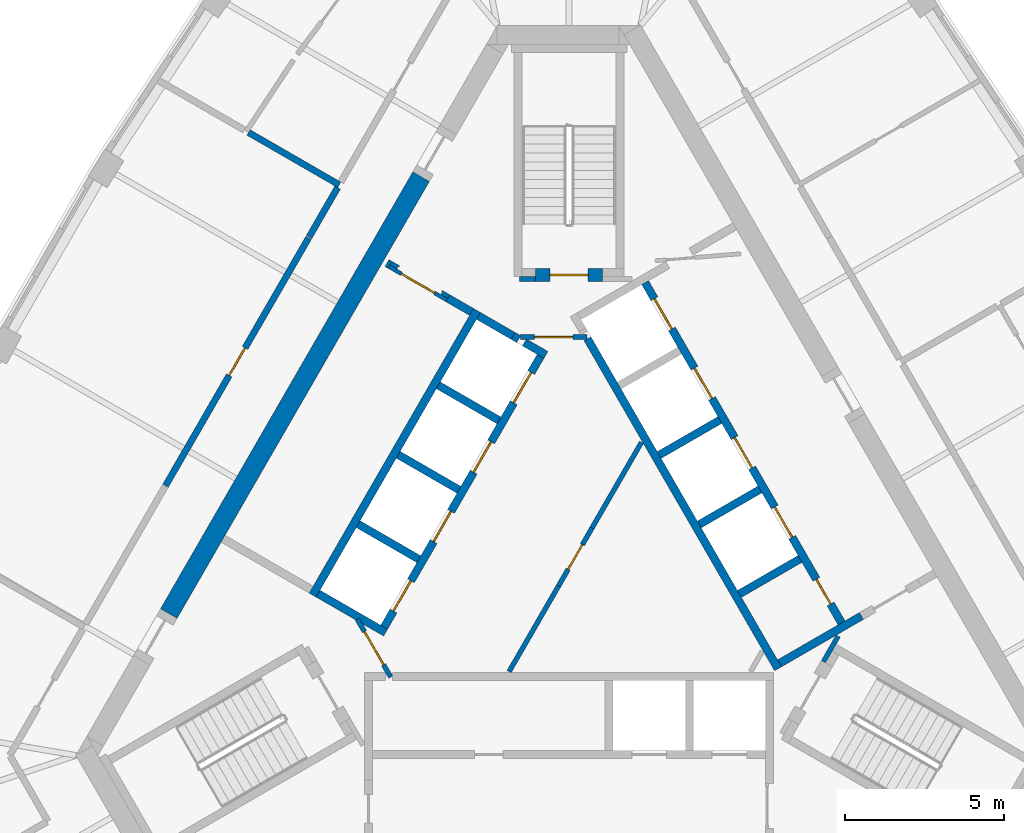
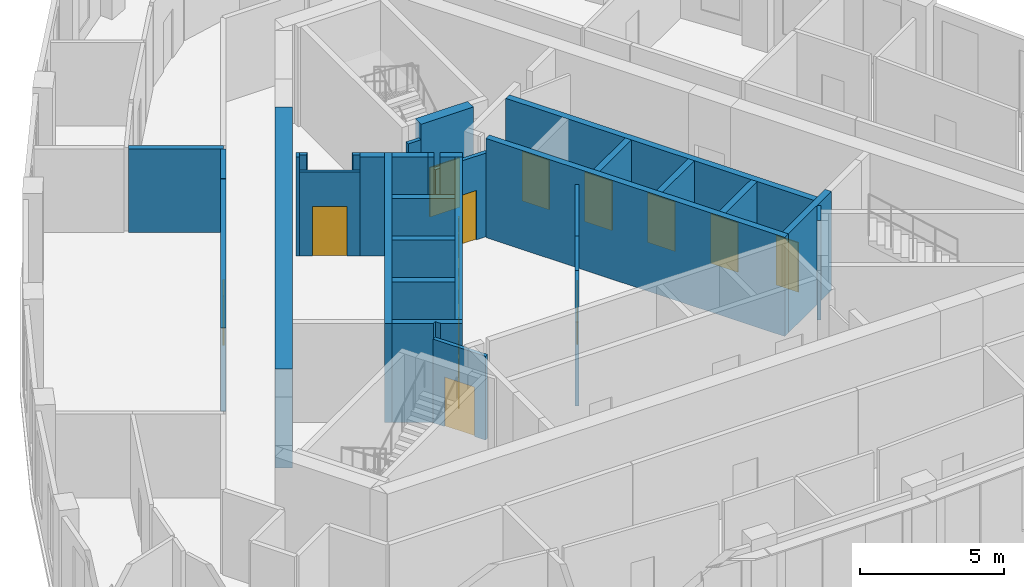
# One storey, part 5 of 10: 32 walls, 15 doors, 15 openings.
"""IFC4 building model written with IfcOpenShell, lengths in metres."""

from ifc_helpers import new_model, si_unit, direction, frame, frame_2d, origin, place, context, subcontext, project, spatial, polyline, rectangle, outline, extrude, material, layer, layer_set, type_object, element, fill, save


model = new_model("IFC4")

# Units and contexts
model_context = context("Model", 3, precision=1e-05, world=origin(), true_north=direction((0.0, 1.0)))
body_context = subcontext(model_context, "Body", "Model", "MODEL_VIEW")
ifc_project = project(units=[si_unit("LENGTHUNIT", "METRE"), si_unit("AREAUNIT", "SQUARE_METRE"), si_unit("VOLUMEUNIT", "CUBIC_METRE"), si_unit("PLANEANGLEUNIT", "RADIAN"), si_unit("MASSUNIT", "GRAM", prefix="KILO")], contexts=[model_context])

# Site, building, storey
site_placement = place(None, origin())
site = spatial("IfcSite", under=ifc_project, at=site_placement, CompositionType="ELEMENT")
building_placement = place(site_placement, origin())
building = spatial("IfcBuilding", under=site, at=building_placement, Name="Mestral Congress Tower", CompositionType="ELEMENT")
storey_placement = place(building_placement, frame((0.0, 0.0, 313.199951171875)))
storey = spatial("IfcBuildingStorey", under=building, at=storey_placement, Name="L73", CompositionType="ELEMENT", Elevation=313.199951171875)

# Walls
ifc_material_1 = material(Name="Fire-rated board partition")
ifc_layer_1 = layer(ifc_material_1, 0.14990234375)
ifc_layer_set_1 = layer_set([ifc_layer_1], Name="Fire-rated board partition")
wall_type_1 = type_object("IfcWallType", Name="Core partition 150", PredefinedType="PARTITIONING", material=ifc_layer_set_1)
wall_1_placement = place(storey_placement, frame((-1.56396484375, 8.62548828125, 0.0), z_axis=(0.0, 0.0, 1.0), x_axis=(1.0, 0.0, 0.0)))
element("IfcWall", 1, at=wall_1_placement, inside=storey, type_object=wall_type_1, Name="L73 core wall", PredefinedType="PARTITIONING", context=body_context, shape_type="SweptSolid", body=[
    extrude(rectangle(XDim=0.513916015625, YDim=0.14990234375, at=frame_2d((0.2568359375, 0.0))), origin(), (0.0, 0.0, 1.0), 3.550048828125),
])
wall_2_placement = place(storey_placement, frame((-1.886962890625, -3.71826171875, 0.0), z_axis=(0.0, 0.0, 1.0), x_axis=(0.500043732237, 0.866000153493, 0.0)))
element("IfcWall", 2, at=wall_2_placement, inside=storey, type_object=wall_type_1, Name="L73 core wall", PredefinedType="PARTITIONING", context=body_context, shape_type="SweptSolid", body=[
    extrude(rectangle(XDim=3.113525390625, YDim=0.14990234375, at=frame_2d((1.556640625, 0.0))), origin(), (0.0, 0.0, 1.0), 3.550048828125),
])
wall_3_placement = place(storey_placement, frame((0.719970703125, 0.796875, 0.0), z_axis=(0.0, 0.0, 1.0), x_axis=(0.499984921984, 0.866034108906, 0.0)))
element("IfcWall", 3, at=wall_3_placement, inside=storey, type_object=wall_type_1, Name="L73 core wall", PredefinedType="PARTITIONING", context=body_context, shape_type="SweptSolid", body=[
    extrude(rectangle(XDim=3.11328125, YDim=0.14990234375, at=frame_2d((1.556640625, 0.0))), origin(), (0.0, 0.0, 1.0), 3.550048828125),
])

# Wall, opening, door
wall_4_placement = place(storey_placement, frame((-0.330078125, -1.021728515625, 0.0), z_axis=(0.0, 0.0, 1.0), x_axis=(0.500027713859, 0.866009402589, 0.0)))
wall_4 = element("IfcWall", 4, at=wall_4_placement, inside=storey, type_object=wall_type_1, Name="L73 door wall", PredefinedType="PARTITIONING", context=body_context, shape_type="SweptSolid", body=[
    extrude(rectangle(XDim=2.10009765625, YDim=0.14990234375, at=frame_2d((1.050048828125, 0.0))), origin(), (0.0, 0.0, 1.0), 3.550048828125),
])
opening_1_placement = place(wall_4_placement, frame((0.60009765625, 0.0, 0.0)))
opening_1 = element("IfcOpeningElement", 5, at=opening_1_placement, cuts=wall_4, Name="Opening CD1-HUB0", PredefinedType="OPENING", context=body_context, shape_type="SweptSolid", body=[
    extrude(rectangle(XDim=0.89990234375, YDim=2.10009765625, at=frame_2d((0.449951171875, 1.050048828125))), frame((0.0, 0.0849609375, 0.0), z_axis=(0.0, -1.0, 0.0), x_axis=(1.0, 0.0, 0.0)), (0.0, 0.0, 1.0), 0.169921875),
])
ifc_material_2 = material(Name="Fire-rated steel door set", Category="steel")
door_type_1 = type_object("IfcDoorType", Name="Core door CD 900x2100", OperationType="SINGLE_SWING_LEFT", PredefinedType="DOOR", material=ifc_material_2)
door_1_placement = place(opening_1_placement, origin())
door_1 = element("IfcDoor", 6, at=door_1_placement, inside=storey, type_object=door_type_1, Name="Door CD1-HUB0", OperationType="SINGLE_SWING_LEFT", OverallHeight=2.10009765625, OverallWidth=0.89990234375, PredefinedType="DOOR", context=body_context, shape_type="SweptSolid", body=[
    extrude(rectangle(XDim=0.89990234375, YDim=2.10009765625, at=frame_2d((0.449951171875, 1.050048828125))), frame((0.0, 0.02490234375, 0.0), z_axis=(0.0, -1.0, 0.0), x_axis=(1.0, 0.0, 0.0)), (0.0, 0.0, 1.0), 0.050048828125),
])
fill(opening_1, door_1)

wall_5_placement = place(storey_placement, frame((-1.534423828125, 6.800048828125, 0.0), z_axis=(0.0, 0.0, 1.0), x_axis=(1.0, 0.0, 0.0)))
wall_5 = element("IfcWall", 7, at=wall_5_placement, inside=storey, type_object=wall_type_1, Name="L73 door wall", PredefinedType="PARTITIONING", context=body_context, shape_type="SweptSolid", body=[
    extrude(rectangle(XDim=2.099853515625, YDim=0.14990234375, at=frame_2d((1.0498046875, 0.0))), origin(), (0.0, 0.0, 1.0), 3.550048828125),
])
opening_2_placement = place(wall_5_placement, frame((0.449951171875, 0.0, 0.0)))
opening_2 = element("IfcOpeningElement", 8, at=opening_2_placement, cuts=wall_5, Name="Opening CD2-FF", PredefinedType="OPENING", context=body_context, shape_type="SweptSolid", body=[
    extrude(rectangle(XDim=1.199951171875, YDim=2.10009765625, at=frame_2d((0.60009765625, 1.050048828125))), frame((0.0, 0.0849609375, 0.0), z_axis=(0.0, -1.0, 0.0), x_axis=(1.0, 0.0, 0.0)), (0.0, 0.0, 1.0), 0.169921875),
])
door_type_2 = type_object("IfcDoorType", Name="Core door CD 1200x2100", OperationType="SINGLE_SWING_LEFT", PredefinedType="DOOR", material=ifc_material_2)
door_2_placement = place(opening_2_placement, origin())
door_2 = element("IfcDoor", 9, at=door_2_placement, inside=storey, type_object=door_type_2, Name="Door CD2-FF", OperationType="SINGLE_SWING_LEFT", OverallHeight=2.10009765625, OverallWidth=1.199951171875, PredefinedType="DOOR", context=body_context, shape_type="SweptSolid", body=[
    extrude(rectangle(XDim=1.199951171875, YDim=2.10009765625, at=frame_2d((0.60009765625, 1.050048828125))), frame((0.0, 0.02490234375, 0.0), z_axis=(0.0, -1.0, 0.0), x_axis=(1.0, 0.0, 0.0)), (0.0, 0.0, 1.0), 0.050048828125),
])
fill(opening_2, door_2)

wall_6_placement = place(storey_placement, frame((-5.606201171875, -3.8896484375, 0.0), z_axis=(0.0, 0.0, 1.0), x_axis=(-0.500027713859, 0.866009402589, 0.0)))
wall_6 = element("IfcWall", 10, at=wall_6_placement, inside=storey, type_object=wall_type_1, Name="L73 door wall", PredefinedType="PARTITIONING", context=body_context, shape_type="SweptSolid", body=[
    extrude(rectangle(XDim=2.10009765625, YDim=0.14990234375, at=frame_2d((1.050048828125, 0.0))), origin(), (0.0, 0.0, 1.0), 3.550048828125),
])
opening_3_placement = place(wall_6_placement, frame((0.449951171875, 0.0, 0.0)))
opening_3 = element("IfcOpeningElement", 11, at=opening_3_placement, cuts=wall_6, Name="Opening CD3-FF", PredefinedType="OPENING", context=body_context, shape_type="SweptSolid", body=[
    extrude(rectangle(XDim=1.199951171875, YDim=2.10009765625, at=frame_2d((0.60009765625, 1.050048828125))), frame((0.0, 0.0849609375, 0.0), z_axis=(0.0, -1.0, 0.0), x_axis=(1.0, 0.0, 0.0)), (0.0, 0.0, 1.0), 0.169921875),
])
door_3_placement = place(opening_3_placement, origin())
door_3 = element("IfcDoor", 12, at=door_3_placement, inside=storey, type_object=door_type_2, Name="Door CD3-FF", OperationType="SINGLE_SWING_LEFT", OverallHeight=2.10009765625, OverallWidth=1.199951171875, PredefinedType="DOOR", context=body_context, shape_type="SweptSolid", body=[
    extrude(rectangle(XDim=1.199951171875, YDim=2.10009765625, at=frame_2d((0.60009765625, 1.050048828125))), frame((0.0, 0.02490234375, 0.0), z_axis=(0.0, -1.0, 0.0), x_axis=(1.0, 0.0, 0.0)), (0.0, 0.0, 1.0), 0.050048828125),
])
fill(opening_3, door_3)

ifc_layer_2 = layer(ifc_material_1, 0.1201171875)
ifc_layer_set_2 = layer_set([ifc_layer_2], Name="Fire-rated board partition")
wall_type_2 = type_object("IfcWallType", Name="Core partition 150 door-wall 120", PredefinedType="PARTITIONING", material=ifc_layer_set_2)
wall_7_placement = place(storey_placement, frame((-5.65869140625, 9.01171875, 0.0), z_axis=(0.0, 0.0, 1.0), x_axis=(0.866009402589, -0.500027713859, 0.0)))
wall_7 = element("IfcWall", 13, at=wall_7_placement, inside=storey, type_object=wall_type_2, Name="L73 door wall", PredefinedType="PARTITIONING", context=body_context, shape_type="SweptSolid", body=[
    extrude(rectangle(XDim=2.10009765625, YDim=0.1201171875, at=frame_2d((1.050048828125, 0.0))), origin(), (0.0, 0.0, 1.0), 3.550048828125),
])
opening_4_placement = place(wall_7_placement, frame((0.449951171875, 0.0, 0.0)))
opening_4 = element("IfcOpeningElement", 14, at=opening_4_placement, cuts=wall_7, Name="Opening LB2-WL2", PredefinedType="OPENING", context=body_context, shape_type="SweptSolid", body=[
    extrude(rectangle(XDim=1.199951171875, YDim=2.10009765625, at=frame_2d((0.60009765625, 1.050048828125))), frame((0.0, 0.070068359375, 0.0), z_axis=(0.0, -1.0, 0.0), x_axis=(1.0, 0.0, 0.0)), (0.0, 0.0, 1.0), 0.14013671875),
])
door_type_3 = type_object("IfcDoorType", Name="Core door LB 1200x2100", OperationType="SINGLE_SWING_LEFT", PredefinedType="DOOR", material=ifc_material_2)
door_4_placement = place(opening_4_placement, origin())
door_4 = element("IfcDoor", 15, at=door_4_placement, inside=storey, type_object=door_type_3, Name="Door LB2-WL2", OperationType="SINGLE_SWING_LEFT", OverallHeight=2.10009765625, OverallWidth=1.199951171875, PredefinedType="DOOR", context=body_context, shape_type="SweptSolid", body=[
    extrude(rectangle(XDim=1.199951171875, YDim=2.10009765625, at=frame_2d((0.60009765625, 1.050048828125))), frame((0.0, 0.02490234375, 0.0), z_axis=(0.0, -1.0, 0.0), x_axis=(1.0, 0.0, 0.0)), (0.0, 0.0, 1.0), 0.050048828125),
])
fill(opening_4, door_4)

# Walls
ifc_material_3 = material(Name="Concrete C60/75", Category="concrete")
ifc_layer_3 = layer(ifc_material_3, 0.60009765625)
ifc_layer_set_3 = layer_set([ifc_layer_3], Name="Concrete C60/75")
wall_type_3 = type_object("IfcWallType", Name="Core wall RC 600", PredefinedType="SOLIDWALL", material=ifc_layer_set_3)
wall_8_placement = place(storey_placement, frame((-12.58154296875, -1.891845703125, 0.0), z_axis=(0.0, 0.0, 1.0), x_axis=(0.500003640647, 0.866023301845, 0.0)))
element("IfcWall", 16, at=wall_8_placement, inside=storey, type_object=wall_type_3, Name="L73 core wall", PredefinedType="SOLIDWALL", context=body_context, shape_type="SweptSolid", body=[
    extrude(rectangle(XDim=15.8583984375, YDim=0.60009765625, at=frame_2d((7.92919921875, 0.0))), origin(), (0.0, 0.0, 1.0), 4.199951171875),
])
ifc_material_4 = material(Name="Dense masonry wall, plastered", Category="masonry")
ifc_layer_4 = layer(ifc_material_4, 0.199951171875)
ifc_layer_set_4 = layer_set([ifc_layer_4], Name="Dense masonry wall, plastered")
wall_type_4 = type_object("IfcWallType", Name="Office tenancy wall 200", PredefinedType="PARTITIONING", material=ifc_layer_set_4)
wall_9_placement = place(storey_placement, frame((-7.2255859375, 11.585205078125, 0.0), z_axis=(0.0, 0.0, 1.0), x_axis=(-0.866034923029, 0.499983511822, 0.0)))
element("IfcWall", 17, at=wall_9_placement, inside=storey, type_object=wall_type_4, Name="Tenancy wall", PredefinedType="PARTITIONING", context=body_context, shape_type="SweptSolid", body=[
    extrude(rectangle(XDim=3.2919921875, YDim=0.199951171875, at=frame_2d((1.64599609375, 0.0))), origin(), (0.0, 0.0, 1.0), 3.550048828125),
])

# Wall, opening, door
wall_10_placement = place(storey_placement, frame((-8.185546875, 9.922119140625, 0.0), z_axis=(0.0, 0.0, 1.0), x_axis=(-0.5000018851, -0.866024315419, 0.0)))
wall_10 = element("IfcWall", 18, at=wall_10_placement, inside=storey, type_object=wall_type_4, Name="Tenancy wall", PredefinedType="PARTITIONING", context=body_context, shape_type="SweptSolid", body=[
    extrude(rectangle(XDim=9.0, YDim=0.199951171875, at=frame_2d((4.5, 0.0))), origin(), (0.0, 0.0, 1.0), 3.550048828125),
])
opening_5_placement = place(wall_10_placement, frame((4.0, 0.0, 0.0)))
opening_5 = element("IfcOpeningElement", 19, at=opening_5_placement, cuts=wall_10, Name="Opening O14-014", PredefinedType="OPENING", context=body_context, shape_type="SweptSolid", body=[
    extrude(rectangle(XDim=1.0, YDim=2.10009765625, at=frame_2d((0.5, 1.050048828125))), frame((0.0, 0.10986328125, 0.0), z_axis=(0.0, -1.0, 0.0), x_axis=(1.0, 0.0, 0.0)), (0.0, 0.0, 1.0), 0.219970703125),
])
ifc_material_5 = material(Name="Fire-rated timber door set", Category="wood")
door_type_4 = type_object("IfcDoorType", Name="Office tenancy entrance door 1000x2100", OperationType="SINGLE_SWING_LEFT", PredefinedType="DOOR", material=ifc_material_5)
door_5_placement = place(opening_5_placement, origin())
door_5 = element("IfcDoor", 20, at=door_5_placement, inside=storey, type_object=door_type_4, Name="Door O14-014", OperationType="SINGLE_SWING_LEFT", OverallHeight=2.10009765625, OverallWidth=1.0, PredefinedType="DOOR", context=body_context, shape_type="SweptSolid", body=[
    extrude(rectangle(XDim=1.0, YDim=2.10009765625, at=frame_2d((0.5, 1.050048828125))), frame((0.0, 0.02490234375, 0.0), z_axis=(0.0, -1.0, 0.0), x_axis=(1.0, 0.0, 0.0)), (0.0, 0.0, 1.0), 0.050048828125),
])
fill(opening_5, door_5)

# Walls
wall_11_placement = place(storey_placement, frame((-7.275390625, 11.49853515625, 0.0), z_axis=(0.0, 0.0, 1.0), x_axis=(-0.500025407441, -0.866010734295, 0.0)))
element("IfcWall", 21, at=wall_11_placement, inside=storey, type_object=wall_type_4, Name="Tenancy wall", PredefinedType="PARTITIONING", context=body_context, shape_type="SweptSolid", body=[
    extrude(rectangle(XDim=1.79052734375, YDim=0.199951171875, at=frame_2d((0.895263671875, 0.0))), origin(), (0.0, 0.0, 1.0), 3.550048828125),
])
ifc_layer_5 = layer(ifc_material_3, 0.25)
ifc_layer_set_5 = layer_set([ifc_layer_5], Name="Concrete C60/75")
wall_type_5 = type_object("IfcWallType", Name="Shaft wall RC 250", PredefinedType="SOLIDWALL", material=ifc_layer_set_5)
wall_12_placement = place(storey_placement, frame((6.568359375, -3.626708984375, 0.0), z_axis=(0.0, 0.0, 1.0), x_axis=(-0.499999455981, 0.866025717874, 0.0)))
element("IfcWall", 22, at=wall_12_placement, inside=storey, type_object=wall_type_5, Name="L73 core wall", PredefinedType="SOLIDWALL", context=body_context, shape_type="SweptSolid", body=[
    extrude(rectangle(XDim=11.97802734375, YDim=0.25, at=frame_2d((5.989013671875, 0.0))), origin(), (0.0, 0.0, 1.0), 4.199951171875),
])
for number, where, z_axis, x_axis, name in (
    (23, (2.833984375, 3.091064453125, 0.0), (0.0, 0.0, 1.0), (0.866008176907, 0.50002983664, 0.0), "L73 core wall"),
    (24, (4.093994140625, 0.90869140625, 0.0), (0.0, 0.0, 1.0), (0.866008176907, 0.50002983664, 0.0), "L73 core wall"),
    (25, (5.35400390625, -1.273681640625, 0.0), (0.0, 0.0, 1.0), (0.866008176907, 0.50002983664, 0.0), "L73 core wall"),
):
    element("IfcWall", number, at=place(storey_placement, frame(where, z_axis=z_axis, x_axis=x_axis)), inside=storey, type_object=wall_type_5, Name=name, PredefinedType="SOLIDWALL", context=body_context, shape_type="SweptSolid", body=[
        extrude(rectangle(XDim=2.199951171875, YDim=0.25, at=frame_2d((1.10009765625, 0.0))), origin(), (0.0, 0.0, 1.0), 4.199951171875),
    ])
wall_13_placement = place(storey_placement, frame((6.614013671875, -3.4560546875, 0.0), z_axis=(0.0, 0.0, 1.0), x_axis=(0.866032512851, 0.499987686533, 0.0)))
element("IfcWall", 26, at=wall_13_placement, inside=storey, type_object=wall_type_5, Name="L73 core wall", PredefinedType="SOLIDWALL", context=body_context, shape_type="SweptSolid", body=[
    extrude(rectangle(XDim=2.974609375, YDim=0.25, at=frame_2d((1.4873046875, 0.0))), origin(), (0.0, 0.0, 1.0), 4.199951171875),
])
wall_14_placement = place(storey_placement, frame((-8.06005859375, -1.310546875, 0.0), z_axis=(0.0, 0.0, 1.0), x_axis=(0.50000273126, 0.866023826885, 0.0)))
element("IfcWall", 27, at=wall_14_placement, inside=storey, type_object=wall_type_5, Name="L73 core wall", PredefinedType="SOLIDWALL", context=body_context, shape_type="SweptSolid", body=[
    extrude(rectangle(XDim=10.330078125, YDim=0.25, at=frame_2d((5.1650390625, 0.0))), origin(), (0.0, 0.0, 1.0), 4.199951171875),
])
wall_15_placement = place(storey_placement, frame((-1.75830078125, 6.834716796875, 0.0), z_axis=(0.0, 0.0, 1.0), x_axis=(0.865982457891, -0.500074377092, 0.0)))
element("IfcWall", 28, at=wall_15_placement, inside=storey, type_object=wall_type_5, Name="L73 core wall", PredefinedType="SOLIDWALL", context=body_context, shape_type="SweptSolid", body=[
    extrude(rectangle(XDim=0.2001953125, YDim=0.25, at=frame_2d((0.10009765625, 0.0))), origin(), (0.0, 0.0, 1.0), 4.199951171875),
])
wall_16_placement = place(storey_placement, frame((-1.760009765625, 6.835693359375, 0.0), z_axis=(0.0, 0.0, 1.0), x_axis=(-0.865952863304, 0.500125622755, 0.0)))
element("IfcWall", 29, at=wall_16_placement, inside=storey, type_object=wall_type_5, Name="L73 core wall", PredefinedType="SOLIDWALL", context=body_context, shape_type="SweptSolid", body=[
    extrude(rectangle(XDim=1.258056640625, YDim=0.25, at=frame_2d((0.62890625, 0.0))), origin(), (0.0, 0.0, 1.0), 4.199951171875),
])
wall_17_placement = place(storey_placement, frame((-0.7275390625, 6.23974609375, 0.0), z_axis=(0.0, 0.0, 1.0), x_axis=(-0.865955664968, 0.500120771724, 0.0)))
element("IfcWall", 30, at=wall_17_placement, inside=storey, type_object=wall_type_5, Name="L73 core wall", PredefinedType="SOLIDWALL", context=body_context, shape_type="SweptSolid", body=[
    extrude(rectangle(XDim=0.778076171875, YDim=0.25, at=frame_2d((0.38916015625, 0.0))), origin(), (0.0, 0.0, 1.0), 4.199951171875),
])
for number, where, z_axis, x_axis, name in (
    (31, (-2.2041015625, 4.182373046875, 0.0), (0.0, 0.0, 1.0), (-0.866008176907, 0.50002983664, 0.0), "L73 core wall"),
    (32, (-5.369384765625, 3.10009765625, 0.0), (0.0, 0.0, 1.0), (0.866008176907, -0.50002983664, 0.0), "L73 core wall"),
    (33, (-4.72412109375, -0.182373046875, 0.0), (0.0, 0.0, 1.0), (-0.866008176907, 0.50002983664, 0.0), "L73 core wall"),
):
    element("IfcWall", number, at=place(storey_placement, frame(where, z_axis=z_axis, x_axis=x_axis)), inside=storey, type_object=wall_type_5, Name=name, PredefinedType="SOLIDWALL", context=body_context, shape_type="SweptSolid", body=[
        extrude(rectangle(XDim=2.199951171875, YDim=0.25, at=frame_2d((1.10009765625, 0.0))), origin(), (0.0, 0.0, 1.0), 4.199951171875),
    ])
placement = place(storey_placement, origin())
element("IfcWall", 34, at=placement, inside=storey, type_object=wall_type_5, Name="L73 core wall", PredefinedType="SOLIDWALL", context=body_context, shape_type="SweptSolid", body=[
    extrude(outline(polyline([(-5.921630859375, -2.256591796875), (-5.921630859375, -2.256591796875), (-5.705078125, -2.381591796875), (-5.830078125, -2.597900390625), (-6.48291015625, -2.22119140625), (-6.59130859375, -2.033447265625), (-6.59130859375, -2.033447265625), (-6.69970703125, -2.095947265625), (-7.951904296875, -1.373046875), (-7.826904296875, -1.156494140625), (-5.921630859375, -2.256591796875)])), origin(), (0.0, 0.0, 1.0), 4.199951171875),
])
wall_19_placement = place(storey_placement, frame((-5.724609375, 9.124755859375, 0.0), z_axis=(0.0, 0.0, 1.0), x_axis=(0.866185586049, -0.49972245349, 0.0)))
element("IfcWall", 35, at=wall_19_placement, inside=storey, type_object=wall_type_5, Name="L73 core wall", PredefinedType="SOLIDWALL", context=body_context, shape_type="SweptSolid", body=[
    extrude(rectangle(XDim=0.10986328125, YDim=0.25, at=frame_2d((0.054931640625, 0.0))), origin(), (0.0, 0.0, 1.0), 4.199951171875),
])
wall_20_placement = place(storey_placement, frame((-3.06591796875, 7.58984375, 0.0), z_axis=(0.0, 0.0, 1.0), x_axis=(-0.866081358704, 0.49990307071, 0.0)))
element("IfcWall", 36, at=wall_20_placement, inside=storey, type_object=wall_type_5, Name="L73 core wall", PredefinedType="SOLIDWALL", context=body_context, shape_type="SweptSolid", body=[
    extrude(rectangle(XDim=0.858154296875, YDim=0.25, at=frame_2d((0.42919921875, 0.0))), origin(), (0.0, 0.0, 1.0), 4.199951171875),
])
element("IfcWall", 37, at=placement, inside=storey, type_object=wall_type_5, Name="L73 core wall", PredefinedType="SOLIDWALL", context=body_context, shape_type="SweptSolid", body=[
    extrude(outline(polyline([(-3.748291015625, 8.1279296875), (-3.813232421875, 8.015380859375), (-4.026611328125, 8.138671875), (-4.0166015625, 8.156005859375), (-4.007568359375, 8.17333984375), (-4.000244140625, 8.191650390625), (-3.994873046875, 8.21044921875), (-3.991455078125, 8.229736328125), (-3.98974609375, 8.24951171875), (-3.989990234375, 8.267578125), (-3.748291015625, 8.1279296875)])), origin(), (0.0, 0.0, 1.0), 4.199951171875),
])
element("IfcWall", 38, at=placement, inside=storey, type_object=wall_type_5, Name="L73 core wall", PredefinedType="SOLIDWALL", context=body_context, shape_type="SweptSolid", body=[
    extrude(outline(polyline([(-5.688720703125, 8.959716796875), (-5.690185546875, 8.960693359375), (-5.565185546875, 9.177001953125), (-5.318603515625, 9.03466796875), (-5.334716796875, 9.02587890625), (-5.3505859375, 9.0146484375), (-5.36572265625, 9.001953125), (-5.37939453125, 8.98779296875), (-5.3916015625, 8.972412109375), (-5.402099609375, 8.955810546875), (-5.412109375, 8.938720703125), (-5.628662109375, 9.063720703125), (-5.628662109375, 9.063720703125), (-5.688720703125, 8.959716796875)])), origin(), (0.0, 0.0, 1.0), 4.199951171875),
])

# Wall, openings, doors
wall_23_placement = place(storey_placement, frame((8.565185546875, -2.185302734375, 0.0), z_axis=(0.0, 0.0, 1.0), x_axis=(-0.499997954832, 0.866026584559, 0.0)))
wall_23 = element("IfcWall", 39, at=wall_23_placement, inside=storey, type_object=wall_type_5, Name="L73 door wall", PredefinedType="SOLIDWALL", context=body_context, shape_type="SweptSolid", body=[
    extrude(rectangle(XDim=12.35009765625, YDim=0.25, at=frame_2d((6.175048828125, 0.0))), origin(), (0.0, 0.0, 1.0), 4.199951171875),
])
opening_6_placement = place(wall_23_placement, frame((0.68505859375, 0.0, 0.0)))
opening_6 = element("IfcOpeningElement", 40, at=opening_6_placement, cuts=wall_23, Name="Opening SR-NEB1", PredefinedType="OPENING", context=body_context, shape_type="SweptSolid", body=[
    extrude(rectangle(XDim=0.89990234375, YDim=2.10009765625, at=frame_2d((0.449951171875, 1.050048828125))), frame((0.0, 0.135009765625, 0.0), z_axis=(0.0, -1.0, 0.0), x_axis=(1.0, 0.0, 0.0)), (0.0, 0.0, 1.0), 0.27001953125),
])
opening_7_placement = place(wall_23_placement, frame((3.10498046875, 0.0, 0.0)))
opening_7 = element("IfcOpeningElement", 41, at=opening_7_placement, cuts=wall_23, Name="Opening LD-NEB2", PredefinedType="OPENING", context=body_context, shape_type="SweptSolid", body=[
    extrude(rectangle(XDim=1.10009765625, YDim=2.10009765625, at=frame_2d((0.550048828125, 1.050048828125))), frame((0.0, 0.135009765625, 0.0), z_axis=(0.0, -1.0, 0.0), x_axis=(1.0, 0.0, 0.0)), (0.0, 0.0, 1.0), 0.27001953125),
])
opening_8_placement = place(wall_23_placement, frame((5.625, 0.0, 0.0)))
opening_8 = element("IfcOpeningElement", 42, at=opening_8_placement, cuts=wall_23, Name="Opening LD-NEB3", PredefinedType="OPENING", context=body_context, shape_type="SweptSolid", body=[
    extrude(rectangle(XDim=1.10009765625, YDim=2.10009765625, at=frame_2d((0.550048828125, 1.050048828125))), frame((0.0, 0.135009765625, 0.0), z_axis=(0.0, -1.0, 0.0), x_axis=(1.0, 0.0, 0.0)), (0.0, 0.0, 1.0), 0.27001953125),
])
opening_9_placement = place(wall_23_placement, frame((8.14501953125, 0.0, 0.0)))
opening_9 = element("IfcOpeningElement", 43, at=opening_9_placement, cuts=wall_23, Name="Opening LD-NEB4", PredefinedType="OPENING", context=body_context, shape_type="SweptSolid", body=[
    extrude(rectangle(XDim=1.10009765625, YDim=2.10009765625, at=frame_2d((0.550048828125, 1.050048828125))), frame((0.0, 0.135009765625, 0.0), z_axis=(0.0, -1.0, 0.0), x_axis=(1.0, 0.0, 0.0)), (0.0, 0.0, 1.0), 0.27001953125),
])
opening_10_placement = place(wall_23_placement, frame((10.6650390625, 0.0, 0.0)))
opening_10 = element("IfcOpeningElement", 44, at=opening_10_placement, cuts=wall_23, Name="Opening LD-NEB5", PredefinedType="OPENING", context=body_context, shape_type="SweptSolid", body=[
    extrude(rectangle(XDim=1.10009765625, YDim=2.10009765625, at=frame_2d((0.550048828125, 1.050048828125))), frame((0.0, 0.135009765625, 0.0), z_axis=(0.0, -1.0, 0.0), x_axis=(1.0, 0.0, 0.0)), (0.0, 0.0, 1.0), 0.27001953125),
])
door_type_5 = type_object("IfcDoorType", Name="Core door LD 1100x2100", OperationType="DOUBLE_DOOR_SLIDING", PredefinedType="DOOR", material=ifc_material_2)
door_6_placement = place(opening_7_placement, origin())
door_6 = element("IfcDoor", 45, at=door_6_placement, inside=storey, type_object=door_type_5, Name="Door LD-NEB2", OperationType="DOUBLE_DOOR_SLIDING", OverallHeight=2.10009765625, OverallWidth=1.10009765625, PredefinedType="DOOR", context=body_context, shape_type="SweptSolid", body=[
    extrude(rectangle(XDim=1.10009765625, YDim=2.10009765625, at=frame_2d((0.550048828125, 1.050048828125))), frame((0.0, 0.02490234375, 0.0), z_axis=(0.0, -1.0, 0.0), x_axis=(1.0, 0.0, 0.0)), (0.0, 0.0, 1.0), 0.050048828125),
])
fill(opening_7, door_6)
door_7_placement = place(opening_8_placement, origin())
door_7 = element("IfcDoor", 46, at=door_7_placement, inside=storey, type_object=door_type_5, Name="Door LD-NEB3", OperationType="DOUBLE_DOOR_SLIDING", OverallHeight=2.10009765625, OverallWidth=1.10009765625, PredefinedType="DOOR", context=body_context, shape_type="SweptSolid", body=[
    extrude(rectangle(XDim=1.10009765625, YDim=2.10009765625, at=frame_2d((0.550048828125, 1.050048828125))), frame((0.0, 0.02490234375, 0.0), z_axis=(0.0, -1.0, 0.0), x_axis=(1.0, 0.0, 0.0)), (0.0, 0.0, 1.0), 0.050048828125),
])
fill(opening_8, door_7)
door_8_placement = place(opening_9_placement, origin())
door_8 = element("IfcDoor", 47, at=door_8_placement, inside=storey, type_object=door_type_5, Name="Door LD-NEB4", OperationType="DOUBLE_DOOR_SLIDING", OverallHeight=2.10009765625, OverallWidth=1.10009765625, PredefinedType="DOOR", context=body_context, shape_type="SweptSolid", body=[
    extrude(rectangle(XDim=1.10009765625, YDim=2.10009765625, at=frame_2d((0.550048828125, 1.050048828125))), frame((0.0, 0.02490234375, 0.0), z_axis=(0.0, -1.0, 0.0), x_axis=(1.0, 0.0, 0.0)), (0.0, 0.0, 1.0), 0.050048828125),
])
fill(opening_9, door_8)
door_9_placement = place(opening_10_placement, origin())
door_9 = element("IfcDoor", 48, at=door_9_placement, inside=storey, type_object=door_type_5, Name="Door LD-NEB5", OperationType="DOUBLE_DOOR_SLIDING", OverallHeight=2.10009765625, OverallWidth=1.10009765625, PredefinedType="DOOR", context=body_context, shape_type="SweptSolid", body=[
    extrude(rectangle(XDim=1.10009765625, YDim=2.10009765625, at=frame_2d((0.550048828125, 1.050048828125))), frame((0.0, 0.02490234375, 0.0), z_axis=(0.0, -1.0, 0.0), x_axis=(1.0, 0.0, 0.0)), (0.0, 0.0, 1.0), 0.050048828125),
])
fill(opening_10, door_9)
door_type_6 = type_object("IfcDoorType", Name="Core door SR 900x2100", OperationType="SINGLE_SWING_LEFT", PredefinedType="DOOR", material=ifc_material_2)
door_10_placement = place(opening_6_placement, origin())
door_10 = element("IfcDoor", 49, at=door_10_placement, inside=storey, type_object=door_type_6, Name="Door SR-NEB1", OperationType="SINGLE_SWING_LEFT", OverallHeight=2.10009765625, OverallWidth=0.89990234375, PredefinedType="DOOR", context=body_context, shape_type="SweptSolid", body=[
    extrude(rectangle(XDim=0.89990234375, YDim=2.10009765625, at=frame_2d((0.449951171875, 1.050048828125))), frame((0.0, 0.02490234375, 0.0), z_axis=(0.0, -1.0, 0.0), x_axis=(1.0, 0.0, 0.0)), (0.0, 0.0, 1.0), 0.050048828125),
])
fill(opening_6, door_10)

wall_24_placement = place(storey_placement, frame((-0.898193359375, 6.194091796875, 0.0), z_axis=(0.0, 0.0, 1.0), x_axis=(-0.499996202215, -0.866027596426, 0.0)))
wall_24 = element("IfcWall", 50, at=wall_24_placement, inside=storey, type_object=wall_type_5, Name="L73 door wall", PredefinedType="SOLIDWALL", context=body_context, shape_type="SweptSolid", body=[
    extrude(rectangle(XDim=9.830078125, YDim=0.25, at=frame_2d((4.9150390625, 0.0))), origin(), (0.0, 0.0, 1.0), 4.199951171875),
])
opening_11_placement = place(wall_24_placement, frame((0.5849609375, 0.0, 0.0)))
opening_11 = element("IfcOpeningElement", 51, at=opening_11_placement, cuts=wall_24, Name="Opening LD-NWB1", PredefinedType="OPENING", context=body_context, shape_type="SweptSolid", body=[
    extrude(rectangle(XDim=1.10009765625, YDim=2.10009765625, at=frame_2d((0.550048828125, 1.050048828125))), frame((0.0, 0.135009765625, 0.0), z_axis=(0.0, -1.0, 0.0), x_axis=(1.0, 0.0, 0.0)), (0.0, 0.0, 1.0), 0.27001953125),
])
opening_12_placement = place(wall_24_placement, frame((3.10498046875, 0.0, 0.0)))
opening_12 = element("IfcOpeningElement", 52, at=opening_12_placement, cuts=wall_24, Name="Opening LD-NWB2", PredefinedType="OPENING", context=body_context, shape_type="SweptSolid", body=[
    extrude(rectangle(XDim=1.10009765625, YDim=2.10009765625, at=frame_2d((0.550048828125, 1.050048828125))), frame((0.0, 0.135009765625, 0.0), z_axis=(0.0, -1.0, 0.0), x_axis=(1.0, 0.0, 0.0)), (0.0, 0.0, 1.0), 0.27001953125),
])
opening_13_placement = place(wall_24_placement, frame((5.625, 0.0, 0.0)))
opening_13 = element("IfcOpeningElement", 53, at=opening_13_placement, cuts=wall_24, Name="Opening LD-NWB3", PredefinedType="OPENING", context=body_context, shape_type="SweptSolid", body=[
    extrude(rectangle(XDim=1.10009765625, YDim=2.10009765625, at=frame_2d((0.550048828125, 1.050048828125))), frame((0.0, 0.135009765625, 0.0), z_axis=(0.0, -1.0, 0.0), x_axis=(1.0, 0.0, 0.0)), (0.0, 0.0, 1.0), 0.27001953125),
])
opening_14_placement = place(wall_24_placement, frame((8.14501953125, 0.0, 0.0)))
opening_14 = element("IfcOpeningElement", 54, at=opening_14_placement, cuts=wall_24, Name="Opening LD-NWB4", PredefinedType="OPENING", context=body_context, shape_type="SweptSolid", body=[
    extrude(rectangle(XDim=1.10009765625, YDim=2.10009765625, at=frame_2d((0.550048828125, 1.050048828125))), frame((0.0, 0.135009765625, 0.0), z_axis=(0.0, -1.0, 0.0), x_axis=(1.0, 0.0, 0.0)), (0.0, 0.0, 1.0), 0.27001953125),
])
door_11_placement = place(opening_11_placement, origin())
door_11 = element("IfcDoor", 55, at=door_11_placement, inside=storey, type_object=door_type_5, Name="Door LD-NWB1", OperationType="DOUBLE_DOOR_SLIDING", OverallHeight=2.10009765625, OverallWidth=1.10009765625, PredefinedType="DOOR", context=body_context, shape_type="SweptSolid", body=[
    extrude(rectangle(XDim=1.10009765625, YDim=2.10009765625, at=frame_2d((0.550048828125, 1.050048828125))), frame((0.0, 0.02490234375, 0.0), z_axis=(0.0, -1.0, 0.0), x_axis=(1.0, 0.0, 0.0)), (0.0, 0.0, 1.0), 0.050048828125),
])
fill(opening_11, door_11)
door_12_placement = place(opening_12_placement, origin())
door_12 = element("IfcDoor", 56, at=door_12_placement, inside=storey, type_object=door_type_5, Name="Door LD-NWB2", OperationType="DOUBLE_DOOR_SLIDING", OverallHeight=2.10009765625, OverallWidth=1.10009765625, PredefinedType="DOOR", context=body_context, shape_type="SweptSolid", body=[
    extrude(rectangle(XDim=1.10009765625, YDim=2.10009765625, at=frame_2d((0.550048828125, 1.050048828125))), frame((0.0, 0.02490234375, 0.0), z_axis=(0.0, -1.0, 0.0), x_axis=(1.0, 0.0, 0.0)), (0.0, 0.0, 1.0), 0.050048828125),
])
fill(opening_12, door_12)
door_13_placement = place(opening_13_placement, origin())
door_13 = element("IfcDoor", 57, at=door_13_placement, inside=storey, type_object=door_type_5, Name="Door LD-NWB3", OperationType="DOUBLE_DOOR_SLIDING", OverallHeight=2.10009765625, OverallWidth=1.10009765625, PredefinedType="DOOR", context=body_context, shape_type="SweptSolid", body=[
    extrude(rectangle(XDim=1.10009765625, YDim=2.10009765625, at=frame_2d((0.550048828125, 1.050048828125))), frame((0.0, 0.02490234375, 0.0), z_axis=(0.0, -1.0, 0.0), x_axis=(1.0, 0.0, 0.0)), (0.0, 0.0, 1.0), 0.050048828125),
])
fill(opening_13, door_13)
door_14_placement = place(opening_14_placement, origin())
door_14 = element("IfcDoor", 58, at=door_14_placement, inside=storey, type_object=door_type_5, Name="Door LD-NWB4", OperationType="DOUBLE_DOOR_SLIDING", OverallHeight=2.10009765625, OverallWidth=1.10009765625, PredefinedType="DOOR", context=body_context, shape_type="SweptSolid", body=[
    extrude(rectangle(XDim=1.10009765625, YDim=2.10009765625, at=frame_2d((0.550048828125, 1.050048828125))), frame((0.0, 0.02490234375, 0.0), z_axis=(0.0, -1.0, 0.0), x_axis=(1.0, 0.0, 0.0)), (0.0, 0.0, 1.0), 0.050048828125),
])
fill(opening_14, door_14)

# Wall
ifc_layer_6 = layer(ifc_material_3, 0.14990234375)
ifc_layer_set_6 = layer_set([ifc_layer_6], Name="Concrete C60/75")
wall_type_6 = type_object("IfcWallType", Name="Shaft wall RC 250 door-wall 150", PredefinedType="SOLIDWALL", material=ifc_layer_set_6)
wall_25_placement = place(storey_placement, frame((8.459228515625, -2.59912109375, 0.0), z_axis=(0.0, 0.0, 1.0), x_axis=(-0.500041054325, -0.866001699761, 0.0)))
element("IfcWall", 59, at=wall_25_placement, inside=storey, type_object=wall_type_6, Name="L73 core wall", PredefinedType="PARTITIONING", context=body_context, shape_type="SweptSolid", body=[
    extrude(rectangle(XDim=0.9287109375, YDim=0.14990234375, at=frame_2d((0.46435546875, 0.0))), origin(), (0.0, 0.0, 1.0), 4.199951171875),
])

# Wall, opening, door
ifc_layer_7 = layer(ifc_material_3, 0.39990234375)
ifc_layer_set_7 = layer_set([ifc_layer_7], Name="Concrete C60/75")
wall_type_7 = type_object("IfcWallType", Name="Stair wall RC 250 door-wall 400", PredefinedType="SOLIDWALL", material=ifc_layer_set_7)
wall_26_placement = place(storey_placement, frame((1.050048828125, 8.75, 0.0), z_axis=(0.0, 0.0, 1.0), x_axis=(-1.0, 0.0, 0.0)))
wall_26 = element("IfcWall", 60, at=wall_26_placement, inside=storey, type_object=wall_type_7, Name="L73 door wall", PredefinedType="SOLIDWALL", context=body_context, shape_type="SweptSolid", body=[
    extrude(rectangle(XDim=2.10009765625, YDim=0.39990234375, at=frame_2d((1.050048828125, 0.0))), origin(), (0.0, 0.0, 1.0), 4.199951171875),
])
opening_15_placement = place(wall_26_placement, frame((0.449951171875, 0.0, 0.0)))
opening_15 = element("IfcOpeningElement", 61, at=opening_15_placement, cuts=wall_26, Name="Opening ST-D2", PredefinedType="OPENING", context=body_context, shape_type="SweptSolid", body=[
    extrude(rectangle(XDim=1.199951171875, YDim=2.10009765625, at=frame_2d((0.60009765625, 1.050048828125))), frame((0.0, 0.2099609375, 0.0), z_axis=(0.0, -1.0, 0.0), x_axis=(1.0, 0.0, 0.0)), (0.0, 0.0, 1.0), 0.419921875),
])
door_type_7 = type_object("IfcDoorType", Name="Core door ST 1200x2100", OperationType="SINGLE_SWING_LEFT", PredefinedType="DOOR", material=ifc_material_2)
door_15_placement = place(opening_15_placement, origin())
door_15 = element("IfcDoor", 62, at=door_15_placement, inside=storey, type_object=door_type_7, Name="Door ST-D2", OperationType="SINGLE_SWING_LEFT", OverallHeight=2.10009765625, OverallWidth=1.199951171875, PredefinedType="DOOR", context=body_context, shape_type="SweptSolid", body=[
    extrude(rectangle(XDim=1.199951171875, YDim=2.10009765625, at=frame_2d((0.60009765625, 1.050048828125))), frame((0.0, 0.02490234375, 0.0), z_axis=(0.0, -1.0, 0.0), x_axis=(1.0, 0.0, 0.0)), (0.0, 0.0, 1.0), 0.050048828125),
])
fill(opening_15, door_15)

save(model, "model.ifc")
